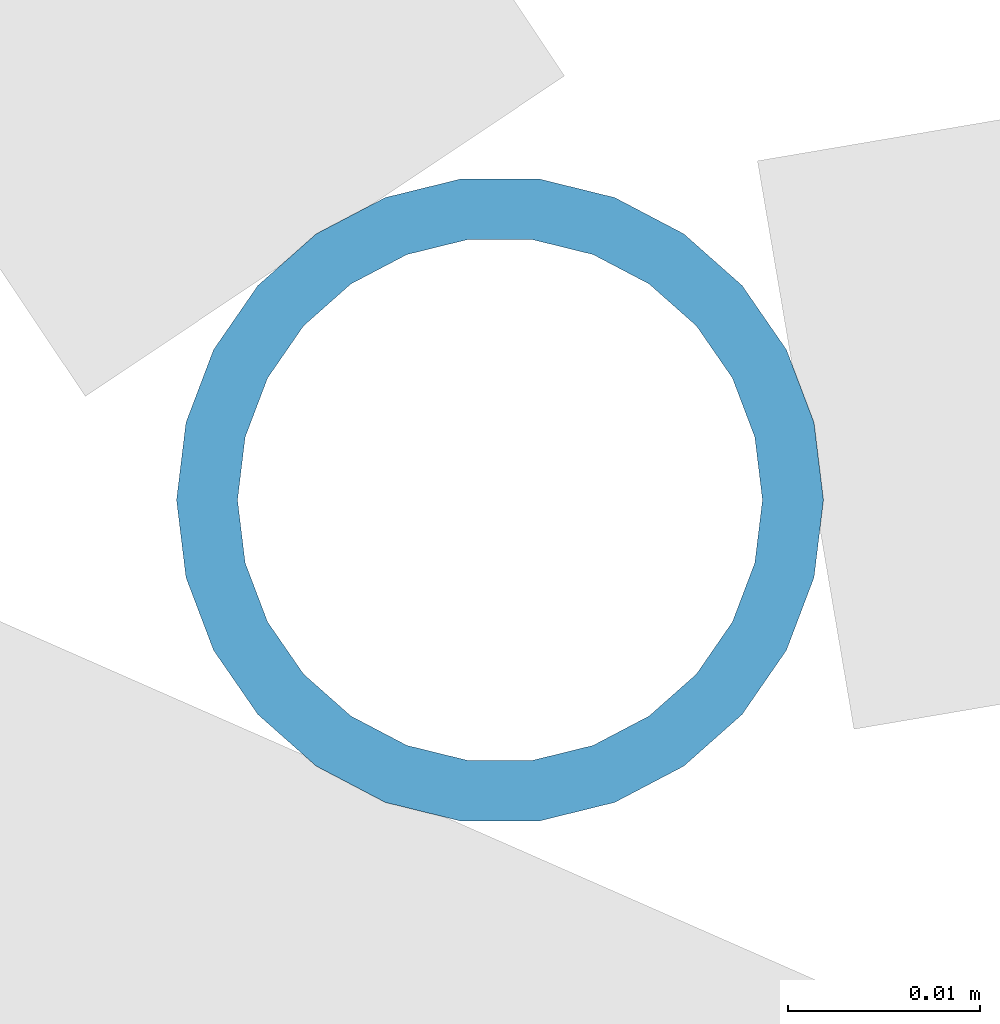
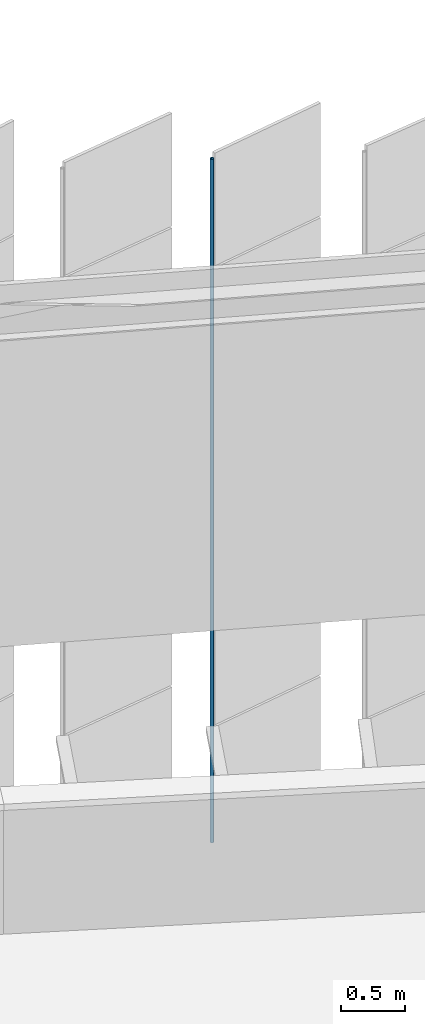
# One storey, part 400 of 483: 1 discrete accessory.
"""IFC4 building model written with IfcOpenShell, lengths in metres."""

from ifc_helpers import new_model, si_unit, direction, frame, origin, origin_2d, place, context, subcontext, project, spatial, hollow_circle, extrude, material, material_profile, profile_set, type_object, element, save


model = new_model("IFC4")

# Units and contexts
model_context = context("Model", 3, precision=1e-05, world=origin(), true_north=direction((0.0, 1.0)))
body_context = subcontext(model_context, "Body", "Model", "MODEL_VIEW")
ifc_project = project(units=[si_unit("LENGTHUNIT", "METRE"), si_unit("AREAUNIT", "SQUARE_METRE"), si_unit("VOLUMEUNIT", "CUBIC_METRE"), si_unit("PLANEANGLEUNIT", "RADIAN"), si_unit("MASSUNIT", "GRAM", prefix="KILO")], contexts=[model_context])

# Site, building, storey
site_placement = place(None, origin())
site = spatial("IfcSite", under=ifc_project, at=site_placement, CompositionType="ELEMENT")
building_placement = place(site_placement, origin())
building = spatial("IfcBuilding", under=site, at=building_placement, Name="Parallax Yard Mobility Hub", CompositionType="ELEMENT")
storey_placement = place(building_placement, frame((0.0, 0.0, 13.199951171875)))
storey = spatial("IfcBuildingStorey", under=building, at=storey_placement, Name="L04", CompositionType="ELEMENT", Elevation=13.199951171875)

# Discrete accessory
ifc_material = material(Name="Steel ASTM A500 Gr C, hot-dip galvanised", Category="steel")
ifc_material_profile = material_profile(ifc_material, hollow_circle(Radius=0.016845703125, WallThickness=0.003173828125, at=origin_2d()), Name="CHS 33.7x3.2")
ifc_profile_set = profile_set([ifc_material_profile], Name="Steel ASTM A500 Gr C, hot-dip galvanised")
discrete_accessory_type = type_object("IfcDiscreteAccessoryType", Name="Hinge post CHS 33.7x3.2", PredefinedType="BRACKET", material=ifc_profile_set)
discrete_accessory_placement = place(storey_placement, frame((194.5458984375, 138.551513671875, 0.0), z_axis=(0.0, 0.0, 1.0), x_axis=(1.0, 0.0, 0.0)))
element("IfcDiscreteAccessory", 1, at=discrete_accessory_placement, inside=storey, type_object=discrete_accessory_type, Name="Hinge post bay 48.3 level L04", PredefinedType="BRACKET", context=body_context, shape_type="SweptSolid", body=[
    extrude(hollow_circle(Radius=0.016845703125, WallThickness=0.003173828125, at=origin_2d()), origin(), (0.0, 0.0, 1.0), 6.550048828125),
])

save(model, "model.ifc")
